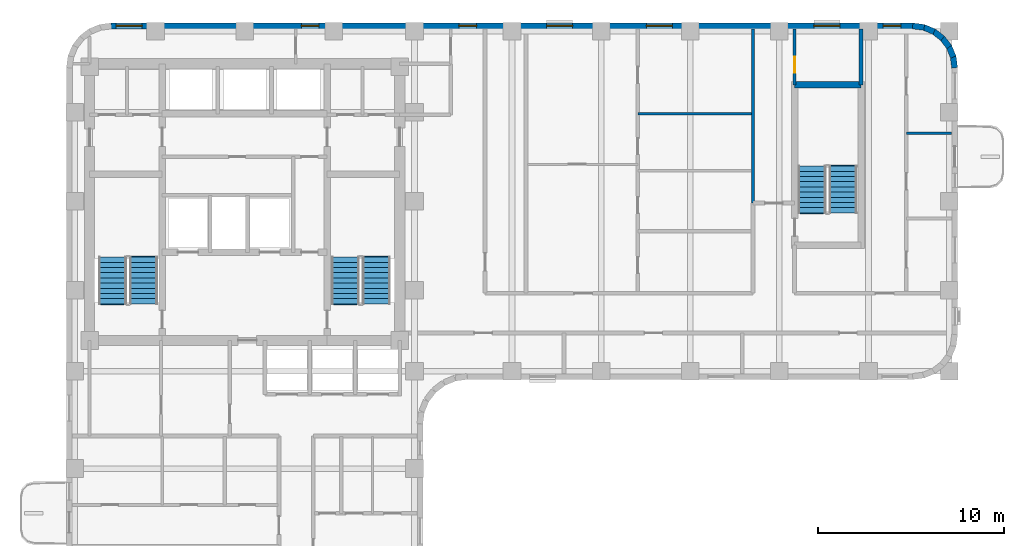
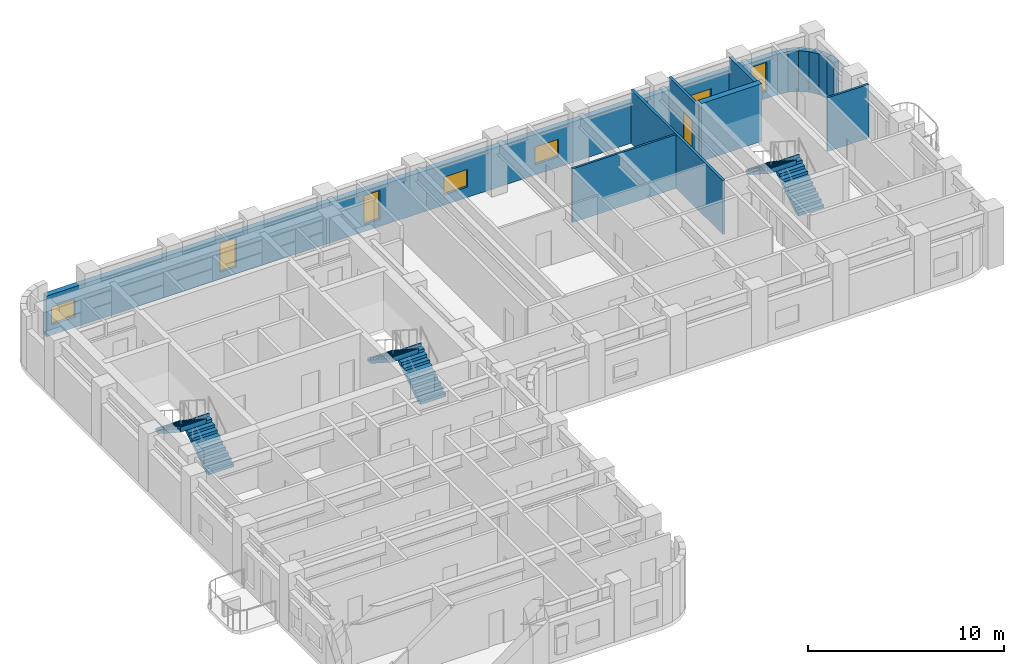
# One storey, part 7 of 10: 13 walls, 7 windows, 6 stair flights, 1 door, 8 openings, 3 elements without a shape of their own.
"""IFC4 building model written with IfcOpenShell, lengths in metres."""

from ifc_helpers import new_model, si_unit, direction, frame, frame_2d, origin, place, context, subcontext, project, spatial, polyline, rectangle, outline, extrude, material, layer, layer_set, type_object, element, fill, aggregate, save


model = new_model("IFC4")

# Units and contexts
model_context = context("Model", 3, precision=1e-05, world=origin(), true_north=direction((0.0, 1.0)))
body_context = subcontext(model_context, "Body", "Model", "MODEL_VIEW")
ifc_project = project(units=[si_unit("LENGTHUNIT", "METRE"), si_unit("AREAUNIT", "SQUARE_METRE"), si_unit("VOLUMEUNIT", "CUBIC_METRE"), si_unit("PLANEANGLEUNIT", "RADIAN"), si_unit("MASSUNIT", "GRAM", prefix="KILO")], contexts=[model_context])

# Site, building, storey
site_placement = place(None, origin())
site = spatial("IfcSite", under=ifc_project, at=site_placement, CompositionType="ELEMENT")
building_placement = place(site_placement, origin())
building = spatial("IfcBuilding", under=site, at=building_placement, Name="Orvandelia Arch Residences", CompositionType="ELEMENT")
storey_placement = place(building_placement, frame((0.0, 0.0, 136.0)))
storey = spatial("IfcBuildingStorey", under=building, at=storey_placement, Name="L35", CompositionType="ELEMENT", Elevation=136.0)

# Walls
ifc_material_1 = material(Name="Concrete C50/60", Category="concrete")
ifc_layer_1 = layer(ifc_material_1, 0.35009765625, Name="Concrete C50/60", Category="concrete")
ifc_layer_set_1 = layer_set([ifc_layer_1], Name="Concrete C50/60")
wall_type_1 = type_object("IfcWallType", Name="WL-CORE-350", PredefinedType="SHEAR", material=ifc_layer_set_1)
wall_1_placement = place(storey_placement, frame((44.02001953125, 44.659912109375, 0.0), z_axis=(0.0, 0.0, 1.0), x_axis=(1.0, 0.0, 0.0)))
element("IfcWall", 1, at=wall_1_placement, inside=storey, type_object=wall_type_1, Name="East Stair Core Shear Wall L35-N", PredefinedType="SHEAR", context=body_context, shape_type="SweptSolid", body=[
    extrude(rectangle(XDim=3.580078125, YDim=0.35009765625, at=frame_2d((1.7900390625, 0.0))), origin(), (0.0, 0.0, 1.0), 3.60009765625),
])
ifc_material_2 = material(Name="Concrete C40/50", Category="concrete")
ifc_layer_2 = layer(ifc_material_2, 0.199951171875, Name="Concrete C40/50", Category="concrete")
ifc_layer_set_2 = layer_set([ifc_layer_2], Name="Concrete C40/50")
wall_type_2 = type_object("IfcWallType", Name="WL-DEM-200", PredefinedType="SOLIDWALL", material=ifc_layer_set_2)
wall_2_placement = place(storey_placement, frame((47.60009765625, 44.659912109375, 0.0), z_axis=(0.0, 0.0, 1.0), x_axis=(0.0, 1.0, 0.0)))
element("IfcWall", 2, at=wall_2_placement, inside=storey, type_object=wall_type_2, Name="Interior Partition Wall WL-L35-ES-NST3E", PredefinedType="SOLIDWALL", context=body_context, shape_type="SweptSolid", body=[
    extrude(rectangle(XDim=3.02001953125, YDim=0.199951171875, at=frame_2d((1.510009765625, 0.0))), origin(), (0.0, 0.0, 1.0), 3.360107421875),
])

# Wall, openings, windows
ifc_material_3 = material(Name="Precast concrete C40/50", Category="concrete")
ifc_layer_3 = layer(ifc_material_3, 0.320068359375, Name="Precast concrete C40/50", Category="concrete")
ifc_layer_set_3 = layer_set([ifc_layer_3], Name="Precast concrete C40/50")
wall_type_3 = type_object("IfcWallType", Name="WL-EXT-STONE-320", PredefinedType="STANDARD", material=ifc_layer_set_3)
wall_3_placement = place(storey_placement, frame((7.199951171875, 47.840087890625, 0.0), z_axis=(0.0, 0.0, 1.0), x_axis=(1.0, 0.0, 0.0)))
wall_3 = element("IfcWall", 3, at=wall_3_placement, inside=storey, type_object=wall_type_3, Name="Coral-Limestone Precast Facade Wall L35-007", PredefinedType="STANDARD", context=body_context, shape_type="SweptSolid", body=[
    extrude(rectangle(XDim=43.199951171875, YDim=0.320068359375, at=frame_2d((21.60009765625, 0.0))), origin(), (0.0, 0.0, 1.0), 2.5400390625),
])
opening_1_placement = place(wall_3_placement, frame((28.841064453125, 0.0, 0.64990234375)))
opening_1 = element("IfcOpeningElement", 4, at=opening_1_placement, cuts=wall_3, Name="Opening W10", PredefinedType="OPENING", context=body_context, shape_type="SweptSolid", body=[
    extrude(rectangle(XDim=1.39990234375, YDim=1.10009765625, at=frame_2d((0.699951171875, 0.550048828125))), frame((0.0, 0.169921875, 0.0), z_axis=(0.0, -1.0, 0.0), x_axis=(1.0, 0.0, 0.0)), (0.0, 0.0, 1.0), 0.340087890625),
])
opening_2_placement = place(wall_3_placement, frame((18.739990234375, 0.0, 0.449951171875)))
opening_2 = element("IfcOpeningElement", 5, at=opening_2_placement, cuts=wall_3, Name="Opening W4", PredefinedType="OPENING", context=body_context, shape_type="SweptSolid", body=[
    extrude(rectangle(XDim=0.949951171875, YDim=1.800048828125, at=frame_2d((0.47509765625, 0.89990234375))), frame((0.0, 0.169921875, 0.0), z_axis=(0.0, -1.0, 0.0), x_axis=(1.0, 0.0, 0.0)), (0.0, 0.0, 1.0), 0.340087890625),
])
opening_3_placement = place(wall_3_placement, frame((37.862548828125, 0.0, 0.64990234375)))
opening_3 = element("IfcOpeningElement", 6, at=opening_3_placement, cuts=wall_3, Name="Opening W10", PredefinedType="OPENING", context=body_context, shape_type="SweptSolid", body=[
    extrude(rectangle(XDim=1.39990234375, YDim=1.10009765625, at=frame_2d((0.699951171875, 0.550048828125))), frame((0.0, 0.169921875, 0.0), z_axis=(0.0, -1.0, 0.0), x_axis=(1.0, 0.0, 0.0)), (0.0, 0.0, 1.0), 0.340087890625),
])
opening_4_placement = place(wall_3_placement, frame((0.282470703125, 0.0, 0.64990234375)))
opening_4 = element("IfcOpeningElement", 7, at=opening_4_placement, cuts=wall_3, Name="Opening W10", PredefinedType="OPENING", context=body_context, shape_type="SweptSolid", body=[
    extrude(rectangle(XDim=1.39990234375, YDim=1.10009765625, at=frame_2d((0.699951171875, 0.550048828125))), frame((0.0, 0.169921875, 0.0), z_axis=(0.0, -1.0, 0.0), x_axis=(1.0, 0.0, 0.0)), (0.0, 0.0, 1.0), 0.340087890625),
])
opening_5_placement = place(wall_3_placement, frame((10.25244140625, 0.0, 0.449951171875)))
opening_5 = element("IfcOpeningElement", 8, at=opening_5_placement, cuts=wall_3, Name="Opening W4", PredefinedType="OPENING", context=body_context, shape_type="SweptSolid", body=[
    extrude(rectangle(XDim=0.949951171875, YDim=1.800048828125, at=frame_2d((0.47509765625, 0.89990234375))), frame((0.0, 0.169921875, 0.0), z_axis=(0.0, -1.0, 0.0), x_axis=(1.0, 0.0, 0.0)), (0.0, 0.0, 1.0), 0.340087890625),
])
opening_6_placement = place(wall_3_placement, frame((23.467529296875, 0.0, 0.64990234375)))
opening_6 = element("IfcOpeningElement", 9, at=opening_6_placement, cuts=wall_3, Name="Opening W10", PredefinedType="OPENING", context=body_context, shape_type="SweptSolid", body=[
    extrude(rectangle(XDim=1.39990234375, YDim=1.10009765625, at=frame_2d((0.699951171875, 0.550048828125))), frame((0.0, 0.169921875, 0.0), z_axis=(0.0, -1.0, 0.0), x_axis=(1.0, 0.0, 0.0)), (0.0, 0.0, 1.0), 0.340087890625),
])
opening_7_placement = place(wall_3_placement, frame((41.593994140625, 0.0, 0.449951171875)))
opening_7 = element("IfcOpeningElement", 10, at=opening_7_placement, cuts=wall_3, Name="Opening W4", PredefinedType="OPENING", context=body_context, shape_type="SweptSolid", body=[
    extrude(rectangle(XDim=0.949951171875, YDim=1.800048828125, at=frame_2d((0.47509765625, 0.89990234375))), frame((0.0, 0.169921875, 0.0), z_axis=(0.0, -1.0, 0.0), x_axis=(1.0, 0.0, 0.0)), (0.0, 0.0, 1.0), 0.340087890625),
])
ifc_material_4 = material(Name="Tempered Low-E Insulated Glazing", Category="glass")
window_type_1 = type_object("IfcWindowType", Name="WIN-CLR-1400x1100", PartitioningType="SINGLE_PANEL", PredefinedType="WINDOW", material=ifc_material_4)
window_1_placement = place(opening_1_placement, origin())
window_1 = element("IfcWindow", 11, at=window_1_placement, inside=storey, type_object=window_type_1, Name="Recessed Punched Window L35-001", OverallHeight=1.10009765625, OverallWidth=1.39990234375, PartitioningType="SINGLE_PANEL", PredefinedType="WINDOW", context=body_context, shape_type="SweptSolid", body=[
    extrude(rectangle(XDim=1.39990234375, YDim=1.10009765625, at=frame_2d((0.699951171875, 0.550048828125))), frame((0.0, 0.030029296875, 0.0), z_axis=(0.0, -1.0, 0.0), x_axis=(1.0, 0.0, 0.0)), (0.0, 0.0, 1.0), 0.06005859375),
])
fill(opening_1, window_1)
window_2_placement = place(opening_3_placement, origin())
window_2 = element("IfcWindow", 12, at=window_2_placement, inside=storey, type_object=window_type_1, Name="Recessed Punched Window L35-003", OverallHeight=1.10009765625, OverallWidth=1.39990234375, PartitioningType="SINGLE_PANEL", PredefinedType="WINDOW", context=body_context, shape_type="SweptSolid", body=[
    extrude(rectangle(XDim=1.39990234375, YDim=1.10009765625, at=frame_2d((0.699951171875, 0.550048828125))), frame((0.0, 0.030029296875, 0.0), z_axis=(0.0, -1.0, 0.0), x_axis=(1.0, 0.0, 0.0)), (0.0, 0.0, 1.0), 0.06005859375),
])
fill(opening_3, window_2)
window_3_placement = place(opening_4_placement, origin())
window_3 = element("IfcWindow", 13, at=window_3_placement, inside=storey, type_object=window_type_1, Name="Recessed Punched Window L35-004", OverallHeight=1.10009765625, OverallWidth=1.39990234375, PartitioningType="SINGLE_PANEL", PredefinedType="WINDOW", context=body_context, shape_type="SweptSolid", body=[
    extrude(rectangle(XDim=1.39990234375, YDim=1.10009765625, at=frame_2d((0.699951171875, 0.550048828125))), frame((0.0, 0.030029296875, 0.0), z_axis=(0.0, -1.0, 0.0), x_axis=(1.0, 0.0, 0.0)), (0.0, 0.0, 1.0), 0.06005859375),
])
fill(opening_4, window_3)
window_4_placement = place(opening_6_placement, origin())
window_4 = element("IfcWindow", 14, at=window_4_placement, inside=storey, type_object=window_type_1, Name="Recessed Punched Window L35-006", OverallHeight=1.10009765625, OverallWidth=1.39990234375, PartitioningType="SINGLE_PANEL", PredefinedType="WINDOW", context=body_context, shape_type="SweptSolid", body=[
    extrude(rectangle(XDim=1.39990234375, YDim=1.10009765625, at=frame_2d((0.699951171875, 0.550048828125))), frame((0.0, 0.030029296875, 0.0), z_axis=(0.0, -1.0, 0.0), x_axis=(1.0, 0.0, 0.0)), (0.0, 0.0, 1.0), 0.06005859375),
])
fill(opening_6, window_4)
window_type_2 = type_object("IfcWindowType", Name="WIN-RES-0950x1800", PartitioningType="SINGLE_PANEL", PredefinedType="WINDOW", material=ifc_material_4)
window_5_placement = place(opening_2_placement, origin())
window_5 = element("IfcWindow", 15, at=window_5_placement, inside=storey, type_object=window_type_2, Name="Recessed Punched Window L35-002", OverallHeight=1.800048828125, OverallWidth=0.949951171875, PartitioningType="SINGLE_PANEL", PredefinedType="WINDOW", context=body_context, shape_type="SweptSolid", body=[
    extrude(rectangle(XDim=0.949951171875, YDim=1.800048828125, at=frame_2d((0.47509765625, 0.89990234375))), frame((0.0, 0.030029296875, 0.0), z_axis=(0.0, -1.0, 0.0), x_axis=(1.0, 0.0, 0.0)), (0.0, 0.0, 1.0), 0.06005859375),
])
fill(opening_2, window_5)
window_6_placement = place(opening_5_placement, origin())
window_6 = element("IfcWindow", 16, at=window_6_placement, inside=storey, type_object=window_type_2, Name="Recessed Punched Window L35-005", OverallHeight=1.800048828125, OverallWidth=0.949951171875, PartitioningType="SINGLE_PANEL", PredefinedType="WINDOW", context=body_context, shape_type="SweptSolid", body=[
    extrude(rectangle(XDim=0.949951171875, YDim=1.800048828125, at=frame_2d((0.47509765625, 0.89990234375))), frame((0.0, 0.030029296875, 0.0), z_axis=(0.0, -1.0, 0.0), x_axis=(1.0, 0.0, 0.0)), (0.0, 0.0, 1.0), 0.06005859375),
])
fill(opening_5, window_6)
window_7_placement = place(opening_7_placement, origin())
window_7 = element("IfcWindow", 17, at=window_7_placement, inside=storey, type_object=window_type_2, Name="Recessed Punched Window L35-007", OverallHeight=1.800048828125, OverallWidth=0.949951171875, PartitioningType="SINGLE_PANEL", PredefinedType="WINDOW", context=body_context, shape_type="SweptSolid", body=[
    extrude(rectangle(XDim=0.949951171875, YDim=1.800048828125, at=frame_2d((0.47509765625, 0.89990234375))), frame((0.0, 0.030029296875, 0.0), z_axis=(0.0, -1.0, 0.0), x_axis=(1.0, 0.0, 0.0)), (0.0, 0.0, 1.0), 0.06005859375),
])
fill(opening_7, window_7)

# Walls
for number, where, z_axis, x_axis, name in (
    (18, (50.379150390625, 47.84130859375, 0.0), (0.0, 0.0, 1.0), (0.9914410257, -0.130555323746, 0.0), "Coral-Limestone Precast Facade Wall L35-008"),
    (19, (50.9599609375, 47.7705078125, 0.0), (0.0, 0.0, 1.0), (0.92389335771, -0.382650053678, 0.0), "Coral-Limestone Precast Facade Wall L35-009"),
    (20, (51.502685546875, 47.551513671875, 0.0), (0.0, 0.0, 1.0), (0.793405610854, -0.608693302629, 0.0), "Coral-Limestone Precast Facade Wall L35-010"),
    (21, (51.97021484375, 47.19970703125, 0.0), (0.0, 0.0, 1.0), (0.608693302629, -0.793405610854, 0.0), "Coral-Limestone Precast Facade Wall L35-011"),
    (22, (52.330810546875, 46.73876953125, 0.0), (0.0, 0.0, 1.0), (0.382317370307, -0.924031075431, 0.0), "Coral-Limestone Precast Facade Wall L35-012"),
    (23, (52.5595703125, 46.2001953125, 0.0), (0.0, 0.0, 1.0), (0.130555323746, -0.9914410257, 0.0), "Coral-Limestone Precast Facade Wall L35-013"),
):
    element("IfcWall", number, at=place(storey_placement, frame(where, z_axis=z_axis, x_axis=x_axis)), inside=storey, type_object=wall_type_3, Name=name, PredefinedType="STANDARD", context=body_context, shape_type="SweptSolid", body=[
        extrude(rectangle(XDim=0.62646484375, YDim=0.320068359375, at=frame_2d((0.313232421875, 0.0))), origin(), (0.0, 0.0, 1.0), 2.5400390625),
    ])
ifc_material_5 = material(Name="Lightweight Gypsum Stud Partition")
ifc_layer_4 = layer(ifc_material_5, 0.1201171875, Name="Lightweight Gypsum Stud Partition")
ifc_layer_set_4 = layer_set([ifc_layer_4], Name="Lightweight Gypsum Stud Partition")
wall_type_4 = type_object("IfcWallType", Name="WL-PART-120", PredefinedType="PARTITIONING", material=ifc_layer_set_4)
wall_4_placement = place(storey_placement, frame((35.576904296875, 43.10693359375, 0.0), z_axis=(0.0, 0.0, 1.0), x_axis=(1.0, 0.0, 0.0)))
element("IfcWall", 24, at=wall_4_placement, inside=storey, type_object=wall_type_4, Name="Interior Partition Wall WL-L35-U06-H2", PredefinedType="PARTITIONING", context=body_context, shape_type="SweptSolid", body=[
    extrude(rectangle(XDim=6.123046875, YDim=0.1201171875, at=frame_2d((3.0615234375, 0.0))), origin(), (0.0, 0.0, 1.0), 3.360107421875),
])
wall_5_placement = place(storey_placement, frame((50.04296875, 42.06396484375, 0.0), z_axis=(0.0, 0.0, 1.0), x_axis=(1.0, 0.0, 0.0)))
element("IfcWall", 25, at=wall_5_placement, inside=storey, type_object=wall_type_4, Name="Interior Partition Wall WL-L35-U07-H2", PredefinedType="PARTITIONING", context=body_context, shape_type="SweptSolid", body=[
    extrude(rectangle(XDim=2.43701171875, YDim=0.1201171875, at=frame_2d((1.218505859375, 0.0))), origin(), (0.0, 0.0, 1.0), 3.360107421875),
])
ifc_material_6 = material(Name="Acoustic Gypsum Stud Partition")
ifc_layer_5 = layer(ifc_material_6, 0.14990234375, Name="Acoustic Gypsum Stud Partition")
ifc_layer_set_5 = layer_set([ifc_layer_5], Name="Acoustic Gypsum Stud Partition")
wall_type_5 = type_object("IfcWallType", Name="WL-PART-150", PredefinedType="PARTITIONING", material=ifc_layer_set_5)
wall_6_placement = place(storey_placement, frame((41.780029296875, 38.300048828125, 0.0), z_axis=(0.0, 0.0, 1.0), x_axis=(0.0, 1.0, 0.0)))
element("IfcWall", 26, at=wall_6_placement, inside=storey, type_object=wall_type_5, Name="Interior Partition Wall WL-L35-ES-SPKW", PredefinedType="PARTITIONING", context=body_context, shape_type="SweptSolid", body=[
    extrude(rectangle(XDim=9.3798828125, YDim=0.14990234375, at=frame_2d((4.68994140625, 0.0))), origin(), (0.0, 0.0, 1.0), 3.360107421875),
])

# Wall, opening, door
wall_7_placement = place(storey_placement, frame((44.02001953125, 44.659912109375, 0.0), z_axis=(0.0, 0.0, 1.0), x_axis=(0.0, 1.0, 0.0)))
wall_7 = element("IfcWall", 27, at=wall_7_placement, inside=storey, type_object=wall_type_5, Name="Interior Partition Wall WL-L35-ES-NST3W", PredefinedType="PARTITIONING", context=body_context, shape_type="SweptSolid", body=[
    extrude(rectangle(XDim=3.02001953125, YDim=0.14990234375, at=frame_2d((1.510009765625, 0.0))), origin(), (0.0, 0.0, 1.0), 3.360107421875),
])
opening_8_placement = place(wall_7_placement, frame((0.64990234375, 0.0, 0.0)))
opening_8 = element("IfcOpeningElement", 28, at=opening_8_placement, cuts=wall_7, Name="Opening D5", PredefinedType="OPENING", context=body_context, shape_type="SweptSolid", body=[
    extrude(rectangle(XDim=0.8798828125, YDim=2.10009765625, at=frame_2d((0.43994140625, 1.050048828125))), frame((0.0, 0.0849609375, 0.0), z_axis=(0.0, -1.0, 0.0), x_axis=(1.0, 0.0, 0.0)), (0.0, 0.0, 1.0), 0.169921875),
])
ifc_material_7 = material(Name="Painted Galvanised Steel Service Door", Category="steel")
door_type = type_object("IfcDoorType", Name="DR-SRV-880", OperationType="NOTDEFINED", PredefinedType="DOOR", material=ifc_material_7)
door_placement = place(opening_8_placement, origin())
door = element("IfcDoor", 29, at=door_placement, inside=storey, type_object=door_type, Name="DR-L35-ESNST3", OperationType="SINGLE_SWING_RIGHT", OverallHeight=2.10009765625, OverallWidth=0.8798828125, PredefinedType="DOOR", context=body_context, shape_type="SweptSolid", body=[
    extrude(rectangle(XDim=0.8798828125, YDim=2.10009765625, at=frame_2d((0.43994140625, 1.050048828125))), frame((0.0, 0.02490234375, 0.0), z_axis=(0.0, -1.0, 0.0), x_axis=(1.0, 0.0, 0.0)), (0.0, 0.0, 1.0), 0.050048828125),
])
fill(opening_8, door)

# Stair, stair flights
stair_type = type_object("IfcStairType", Name="STAIR-RC-DOGLEG", PredefinedType="HALF_TURN_STAIR", material=ifc_material_2)
stair_1_placement = place(storey_placement, origin())
stair_1 = element("IfcStair", 30, at=stair_1_placement, inside=storey, type_object=stair_type, Name="L35 Protected Exit Stair ST-1", PredefinedType="HALF_TURN_STAIR")
stair_flight_type = type_object("IfcStairFlightType", Name="STFLT-RC-1520", PredefinedType="STRAIGHT", material=ifc_material_2)
stair_flight_1_placement = place(storey_placement, frame((8.9599609375, 32.8701171875, 0.0), z_axis=(0.0, 0.0, 1.0), x_axis=(0.0, 1.0, 0.0)))
stair_flight_1 = element("IfcStairFlight", 31, at=stair_flight_1_placement, type_object=stair_flight_type, Name="ST-1 flight 1", NumberOfRisers=10, NumberOfTreads=9, PredefinedType="STRAIGHT", RiserHeight=0.18, TreadLength=0.28, context=body_context, shape_type="SweptSolid", body=[
    extrude(outline(polyline([(0.0, 0.0), (0.0, 0.179931640625), (0.280029296875, 0.179931640625), (0.280029296875, 0.360107421875), (0.56005859375, 0.360107421875), (0.56005859375, 0.5400390625), (0.840087890625, 0.5400390625), (0.840087890625, 0.719970703125), (1.1201171875, 0.719970703125), (1.1201171875, 0.89990234375), (1.39990234375, 0.89990234375), (1.39990234375, 1.080078125), (1.679931640625, 1.080078125), (1.679931640625, 1.260009765625), (1.9599609375, 1.260009765625), (1.9599609375, 1.43994140625), (2.239990234375, 1.43994140625), (2.239990234375, 1.6201171875), (2.52001953125, 1.6201171875), (2.52001953125, 1.800048828125), (2.580078125, 1.800048828125), (2.580078125, 1.6201171875), (2.52001953125, 1.44189453125), (0.277099609375, 0.0), (0.0, 0.0)])), frame((0.0, 0.760009765625, 0.0), z_axis=(0.0, -1.0, 0.0), x_axis=(1.0, 0.0, 0.0)), (0.0, 0.0, 1.0), 1.52001953125),
])
stair_flight_2_placement = place(storey_placement, frame((7.2900390625, 35.389892578125, 1.800048828125), z_axis=(0.0, 0.0, 1.0), x_axis=(0.0, -1.0, 0.0)))
stair_flight_2 = element("IfcStairFlight", 32, at=stair_flight_2_placement, type_object=stair_flight_type, Name="ST-1 flight 2", NumberOfRisers=10, NumberOfTreads=9, PredefinedType="STRAIGHT", RiserHeight=0.18, TreadLength=0.28, context=body_context, shape_type="SweptSolid", body=[
    extrude(outline(polyline([(0.0, 0.0), (0.0, 0.179931640625), (0.280029296875, 0.179931640625), (0.280029296875, 0.360107421875), (0.56005859375, 0.360107421875), (0.56005859375, 0.5400390625), (0.840087890625, 0.5400390625), (0.840087890625, 0.719970703125), (1.1201171875, 0.719970703125), (1.1201171875, 0.89990234375), (1.39990234375, 0.89990234375), (1.39990234375, 1.080078125), (1.679931640625, 1.080078125), (1.679931640625, 1.260009765625), (1.9599609375, 1.260009765625), (1.9599609375, 1.43994140625), (2.239990234375, 1.43994140625), (2.239990234375, 1.6201171875), (2.52001953125, 1.6201171875), (2.52001953125, 1.800048828125), (2.580078125, 1.800048828125), (2.580078125, 1.6201171875), (2.52001953125, 1.44189453125), (0.277099609375, 0.0), (0.0, 0.0)])), frame((0.0, 0.760009765625, 0.0), z_axis=(0.0, -1.0, 0.0), x_axis=(1.0, 0.0, 0.0)), (0.0, 0.0, 1.0), 1.52001953125),
])
aggregate(stair_1, [stair_flight_1, stair_flight_2])

stair_2_placement = place(storey_placement, origin())
stair_2 = element("IfcStair", 33, at=stair_2_placement, inside=storey, type_object=stair_type, Name="L35 Protected Exit Stair ST-2", PredefinedType="HALF_TURN_STAIR")
stair_flight_3_placement = place(storey_placement, frame((21.489990234375, 32.8701171875, 0.0), z_axis=(0.0, 0.0, 1.0), x_axis=(0.0, 1.0, 0.0)))
stair_flight_3 = element("IfcStairFlight", 34, at=stair_flight_3_placement, type_object=stair_flight_type, Name="ST-2 flight 1", NumberOfRisers=10, NumberOfTreads=9, PredefinedType="STRAIGHT", RiserHeight=0.18, TreadLength=0.28, context=body_context, shape_type="SweptSolid", body=[
    extrude(outline(polyline([(0.0, 0.0), (0.0, 0.179931640625), (0.280029296875, 0.179931640625), (0.280029296875, 0.360107421875), (0.56005859375, 0.360107421875), (0.56005859375, 0.5400390625), (0.840087890625, 0.5400390625), (0.840087890625, 0.719970703125), (1.1201171875, 0.719970703125), (1.1201171875, 0.89990234375), (1.39990234375, 0.89990234375), (1.39990234375, 1.080078125), (1.679931640625, 1.080078125), (1.679931640625, 1.260009765625), (1.9599609375, 1.260009765625), (1.9599609375, 1.43994140625), (2.239990234375, 1.43994140625), (2.239990234375, 1.6201171875), (2.52001953125, 1.6201171875), (2.52001953125, 1.800048828125), (2.580078125, 1.800048828125), (2.580078125, 1.6201171875), (2.52001953125, 1.44189453125), (0.277099609375, 0.0), (0.0, 0.0)])), frame((0.0, 0.760009765625, 0.0), z_axis=(0.0, -1.0, 0.0), x_axis=(1.0, 0.0, 0.0)), (0.0, 0.0, 1.0), 1.52001953125),
])
stair_flight_4_placement = place(storey_placement, frame((19.820068359375, 35.389892578125, 1.800048828125), z_axis=(0.0, 0.0, 1.0), x_axis=(0.0, -1.0, 0.0)))
stair_flight_4 = element("IfcStairFlight", 35, at=stair_flight_4_placement, type_object=stair_flight_type, Name="ST-2 flight 2", NumberOfRisers=10, NumberOfTreads=9, PredefinedType="STRAIGHT", RiserHeight=0.18, TreadLength=0.28, context=body_context, shape_type="SweptSolid", body=[
    extrude(outline(polyline([(0.0, 0.0), (0.0, 0.179931640625), (0.280029296875, 0.179931640625), (0.280029296875, 0.360107421875), (0.56005859375, 0.360107421875), (0.56005859375, 0.5400390625), (0.840087890625, 0.5400390625), (0.840087890625, 0.719970703125), (1.1201171875, 0.719970703125), (1.1201171875, 0.89990234375), (1.39990234375, 0.89990234375), (1.39990234375, 1.080078125), (1.679931640625, 1.080078125), (1.679931640625, 1.260009765625), (1.9599609375, 1.260009765625), (1.9599609375, 1.43994140625), (2.239990234375, 1.43994140625), (2.239990234375, 1.6201171875), (2.52001953125, 1.6201171875), (2.52001953125, 1.800048828125), (2.580078125, 1.800048828125), (2.580078125, 1.6201171875), (2.52001953125, 1.44189453125), (0.277099609375, 0.0), (0.0, 0.0)])), frame((0.0, 0.760009765625, 0.0), z_axis=(0.0, -1.0, 0.0), x_axis=(1.0, 0.0, 0.0)), (0.0, 0.0, 1.0), 1.52001953125),
])
aggregate(stair_2, [stair_flight_3, stair_flight_4])

stair_3_placement = place(storey_placement, origin())
stair_3 = element("IfcStair", 36, at=stair_3_placement, inside=storey, type_object=stair_type, Name="L35 East Wing Exit Stair ST-3", PredefinedType="HALF_TURN_STAIR")
stair_flight_5_placement = place(storey_placement, frame((46.639892578125, 37.77001953125, 0.0), z_axis=(0.0, 0.0, 1.0), x_axis=(0.0, 1.0, 0.0)))
stair_flight_5 = element("IfcStairFlight", 37, at=stair_flight_5_placement, type_object=stair_flight_type, Name="ST-3 flight 1", NumberOfRisers=10, NumberOfTreads=9, PredefinedType="STRAIGHT", RiserHeight=0.18, TreadLength=0.28, context=body_context, shape_type="SweptSolid", body=[
    extrude(outline(polyline([(0.0, 0.0), (0.0, 0.179931640625), (0.280029296875, 0.179931640625), (0.280029296875, 0.360107421875), (0.56005859375, 0.360107421875), (0.56005859375, 0.5400390625), (0.840087890625, 0.5400390625), (0.840087890625, 0.719970703125), (1.1201171875, 0.719970703125), (1.1201171875, 0.89990234375), (1.39990234375, 0.89990234375), (1.39990234375, 1.080078125), (1.679931640625, 1.080078125), (1.679931640625, 1.260009765625), (1.9599609375, 1.260009765625), (1.9599609375, 1.43994140625), (2.239990234375, 1.43994140625), (2.239990234375, 1.6201171875), (2.52001953125, 1.6201171875), (2.52001953125, 1.800048828125), (2.580078125, 1.800048828125), (2.580078125, 1.6201171875), (2.52001953125, 1.44189453125), (0.277099609375, 0.0), (0.0, 0.0)])), frame((0.0, 0.760009765625, 0.0), z_axis=(0.0, -1.0, 0.0), x_axis=(1.0, 0.0, 0.0)), (0.0, 0.0, 1.0), 1.52001953125),
])
stair_flight_6_placement = place(storey_placement, frame((44.969970703125, 40.2900390625, 1.800048828125), z_axis=(0.0, 0.0, 1.0), x_axis=(0.0, -1.0, 0.0)))
stair_flight_6 = element("IfcStairFlight", 38, at=stair_flight_6_placement, type_object=stair_flight_type, Name="ST-3 flight 2", NumberOfRisers=10, NumberOfTreads=9, PredefinedType="STRAIGHT", RiserHeight=0.18, TreadLength=0.28, context=body_context, shape_type="SweptSolid", body=[
    extrude(outline(polyline([(0.0, 0.0), (0.0, 0.179931640625), (0.280029296875, 0.179931640625), (0.280029296875, 0.360107421875), (0.56005859375, 0.360107421875), (0.56005859375, 0.5400390625), (0.840087890625, 0.5400390625), (0.840087890625, 0.719970703125), (1.1201171875, 0.719970703125), (1.1201171875, 0.89990234375), (1.39990234375, 0.89990234375), (1.39990234375, 1.080078125), (1.679931640625, 1.080078125), (1.679931640625, 1.260009765625), (1.9599609375, 1.260009765625), (1.9599609375, 1.43994140625), (2.239990234375, 1.43994140625), (2.239990234375, 1.6201171875), (2.52001953125, 1.6201171875), (2.52001953125, 1.800048828125), (2.580078125, 1.800048828125), (2.580078125, 1.6201171875), (2.52001953125, 1.44189453125), (0.277099609375, 0.0), (0.0, 0.0)])), frame((0.0, 0.760009765625, 0.0), z_axis=(0.0, -1.0, 0.0), x_axis=(1.0, 0.0, 0.0)), (0.0, 0.0, 1.0), 1.52001953125),
])
aggregate(stair_3, [stair_flight_5, stair_flight_6])

save(model, "model.ifc")
